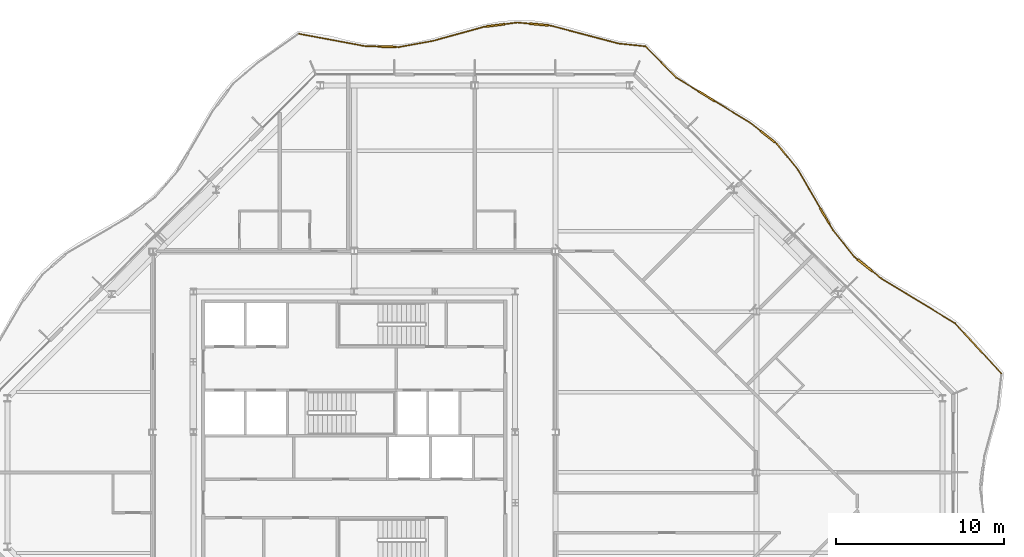
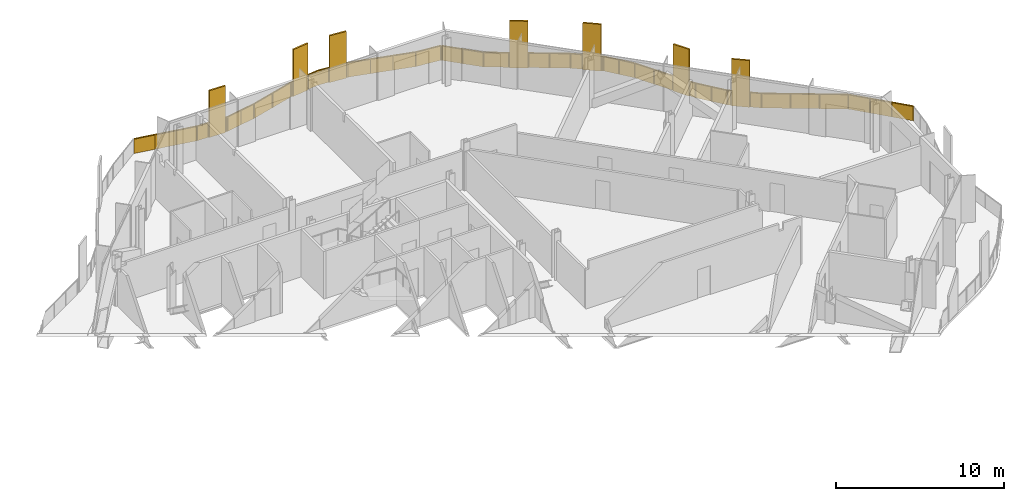
# One storey, part 17 of 17: 2 railings.
"""IFC4 building model written with IfcOpenShell, lengths in metres."""

from ifc_helpers import new_model, si_unit, direction, frame, origin, origin_2d, place, context, subcontext, project, spatial, polyline, rectangle, outline, extrude, material, type_object, element, save


model = new_model("IFC4")

# Units and contexts
model_context = context("Model", 3, precision=1e-05, world=origin(), true_north=direction((0.0, 1.0)))
body_context = subcontext(model_context, "Body", "Model", "MODEL_VIEW")
ifc_project = project(units=[si_unit("LENGTHUNIT", "METRE"), si_unit("AREAUNIT", "SQUARE_METRE"), si_unit("VOLUMEUNIT", "CUBIC_METRE"), si_unit("PLANEANGLEUNIT", "RADIAN"), si_unit("MASSUNIT", "GRAM", prefix="KILO")], contexts=[model_context])

# Site, building, storey
site_placement = place(None, origin())
site = spatial("IfcSite", under=ifc_project, at=site_placement, CompositionType="ELEMENT")
building_placement = place(site_placement, origin())
building = spatial("IfcBuilding", under=site, at=building_placement, Name="Cairn Pilgrim Tower", CompositionType="ELEMENT")
storey_placement = place(building_placement, frame((0.0, 0.0, 239.39990234375)))
storey = spatial("IfcBuildingStorey", under=building, at=storey_placement, Name="L61", CompositionType="ELEMENT", Elevation=239.39990234375)

# Railings
ifc_material = material(Name="Bronze anodised aluminium rail, posts and fin screens with laminated glass infill", Category="aluminium")
railing_type = type_object("IfcRailingType", Name="BALCONY GUARD WITH FIN SCREENS", PredefinedType="GUARDRAIL", material=ifc_material)
railing_1_placement = place(storey_placement, frame((45.813720703125, 5.896240234375, 0.0)))
element("IfcRailing", 1, at=railing_1_placement, inside=storey, type_object=railing_type, Name="Balcony guard BGF-4 with fin screens", PredefinedType="GUARDRAIL", context=body_context, shape_type="SweptSolid", body=[
    extrude(rectangle(XDim=0.050048828125, YDim=0.050048828125, at=origin_2d()), frame((0.0, 0.0, 1.0751953125), z_axis=(-0.676637569078, 0.736316236485, 0.0), x_axis=(-0.736316236485, -0.676637569078, 0.0)), (0.0, 0.0, 1.0), 4.07861328125),
    extrude(rectangle(XDim=0.050048828125, YDim=0.050048828125, at=origin_2d()), frame((-2.759765625, 3.003173828125, 1.0751953125), z_axis=(-0.854496020105, 0.519457940189, 0.0), x_axis=(-0.519457940189, -0.854496020105, 0.0)), (0.0, 0.0, 1.0), 5.164306640625),
    extrude(rectangle(XDim=1.10009765625, YDim=0.110107421875, at=origin_2d()), frame((-8.153564453125, 6.473388671875, 0.0), z_axis=(0.0, 0.0, 1.0), x_axis=(-0.77979860108, 0.626030463919, 0.0)), (0.0, 0.0, 1.0), 3.39990234375),
    extrude(rectangle(XDim=0.050048828125, YDim=0.050048828125, at=origin_2d()), frame((-7.172607421875, 5.685791015625, 1.0751953125), z_axis=(-0.77979860108, 0.626030463919, 0.0), x_axis=(-0.626030463919, -0.77979860108, 0.0)), (0.0, 0.0, 1.0), 0.7080078125),
    extrude(rectangle(XDim=0.050048828125, YDim=0.050048828125, at=origin_2d()), frame((-8.58251953125, 6.817626953125, 1.0751953125), z_axis=(-0.77979860108, 0.626030463919, 0.0), x_axis=(-0.626030463919, -0.77979860108, 0.0)), (0.0, 0.0, 1.0), 0.24169921875),
    extrude(rectangle(XDim=0.050048828125, YDim=0.050048828125, at=origin_2d()), frame((-8.77099609375, 6.968994140625, 1.0751953125), z_axis=(-0.624448287209, 0.781066153793, 0.0), x_axis=(-0.781066153793, -0.624448287209, 0.0)), (0.0, 0.0, 1.0), 2.051513671875),
    extrude(rectangle(XDim=1.10009765625, YDim=0.110107421875, at=origin_2d()), frame((-10.536376953125, 9.404541015625, 0.0), z_axis=(0.0, 0.0, 1.0), x_axis=(-0.502564364982, 0.864539796106, 0.0)), (0.0, 0.0, 1.0), 3.39990234375),
    extrude(rectangle(XDim=0.050048828125, YDim=0.050048828125, at=origin_2d()), frame((-10.052001953125, 8.5712890625, 1.0751953125), z_axis=(-0.502564364982, 0.864539796106, 0.0), x_axis=(-0.864539796106, -0.502564364982, 0.0)), (0.0, 0.0, 1.0), 0.413818359375),
    extrude(rectangle(XDim=0.050048828125, YDim=0.050048828125, at=origin_2d()), frame((-10.812744140625, 9.880126953125, 1.0751953125), z_axis=(-0.502564364982, 0.864539796106, 0.0), x_axis=(-0.864539796106, -0.502564364982, 0.0)), (0.0, 0.0, 1.0), 2.64697265625),
    extrude(rectangle(XDim=0.050048828125, YDim=0.050048828125, at=origin_2d()), frame((-12.14306640625, 12.16845703125, 1.0751953125), z_axis=(-0.629684156552, 0.776851248945, 0.0), x_axis=(-0.776851248945, -0.629684156552, 0.0)), (0.0, 0.0, 1.0), 1.994140625),
    extrude(rectangle(XDim=1.10009765625, YDim=0.110107421875, at=origin_2d()), frame((-13.947509765625, 14.152099609375, 0.0), z_axis=(0.0, 0.0, 1.0), x_axis=(-0.78390960615, 0.620874970816, 0.0)), (0.0, 0.0, 1.0), 3.39990234375),
    extrude(rectangle(XDim=0.050048828125, YDim=0.050048828125, at=origin_2d()), frame((-13.398681640625, 13.717529296875, 1.0751953125), z_axis=(-0.78390960615, 0.620874970816, 0.0), x_axis=(-0.620874970816, -0.78390960615, 0.0)), (0.0, 0.0, 1.0), 0.150146484375),
    extrude(rectangle(XDim=0.050048828125, YDim=0.050048828125, at=origin_2d()), frame((-14.378662109375, 14.49365234375, 1.0751953125), z_axis=(-0.78390960615, 0.620874970816, 0.0), x_axis=(-0.620874970816, -0.78390960615, 0.0)), (0.0, 0.0, 1.0), 0.7490234375),
    extrude(rectangle(XDim=1.10009765625, YDim=0.110107421875, at=origin_2d()), frame((-17.593994140625, 16.56103515625, 0.0), z_axis=(0.0, 0.0, 1.0), x_axis=(-0.853830896443, 0.520550478127, 0.0)), (0.0, 0.0, 1.0), 3.39990234375),
    extrude(rectangle(XDim=0.050048828125, YDim=0.050048828125, at=origin_2d()), frame((-14.9658203125, 14.958740234375, 1.0751953125), z_axis=(-0.853830896443, 0.520550478127, 0.0), x_axis=(-0.520550478127, -0.853830896443, 0.0)), (0.0, 0.0, 1.0), 2.528076171875),
    extrude(rectangle(XDim=0.050048828125, YDim=0.050048828125, at=origin_2d()), frame((-18.0634765625, 16.84716796875, 1.0751953125), z_axis=(-0.853830896443, 0.520550478127, 0.0), x_axis=(-0.520550478127, -0.853830896443, 0.0)), (0.0, 0.0, 1.0), 1.555419921875),
    extrude(rectangle(XDim=0.050048828125, YDim=0.050048828125, at=origin_2d()), frame((-19.3916015625, 17.656982421875, 1.0751953125), z_axis=(-0.701039988071, 0.71312196371, 0.0), x_axis=(-0.71312196371, -0.701039988071, 0.0)), (0.0, 0.0, 1.0), 2.56640625),
    extrude(rectangle(XDim=0.050048828125, YDim=0.050048828125, at=origin_2d()), origin(), (0.0, 0.0, 1.0), 1.050048828125),
    extrude(rectangle(XDim=0.050048828125, YDim=0.050048828125, at=origin_2d()), frame((-0.919921875, 1.0009765625, 0.0)), (0.0, 0.0, 1.0), 1.050048828125),
    extrude(rectangle(XDim=0.050048828125, YDim=0.050048828125, at=origin_2d()), frame((-1.83984375, 2.002197265625, 0.0)), (0.0, 0.0, 1.0), 1.050048828125),
    extrude(rectangle(XDim=0.050048828125, YDim=0.050048828125, at=origin_2d()), frame((-2.759765625, 3.003173828125, 0.0)), (0.0, 0.0, 1.0), 1.050048828125),
    extrude(rectangle(XDim=0.050048828125, YDim=0.050048828125, at=origin_2d()), frame((-4.230712890625, 3.8974609375, 0.0)), (0.0, 0.0, 1.0), 1.050048828125),
    extrude(rectangle(XDim=0.050048828125, YDim=0.050048828125, at=origin_2d()), frame((-5.70166015625, 4.79150390625, 0.0)), (0.0, 0.0, 1.0), 1.050048828125),
    extrude(rectangle(XDim=0.050048828125, YDim=0.050048828125, at=origin_2d()), frame((-7.172607421875, 5.685791015625, 0.0)), (0.0, 0.0, 1.0), 1.050048828125),
    extrude(rectangle(XDim=0.050048828125, YDim=0.050048828125, at=origin_2d()), frame((-7.705322265625, 6.113525390625, 0.0)), (0.0, 0.0, 1.0), 1.050048828125),
    extrude(rectangle(XDim=0.050048828125, YDim=0.050048828125, at=origin_2d()), frame((-8.60205078125, 6.83349609375, 0.0)), (0.0, 0.0, 1.0), 1.050048828125),
    extrude(rectangle(XDim=0.050048828125, YDim=0.050048828125, at=origin_2d()), frame((-8.77099609375, 6.968994140625, 0.0)), (0.0, 0.0, 1.0), 1.050048828125),
    extrude(rectangle(XDim=0.050048828125, YDim=0.050048828125, at=origin_2d()), frame((-9.41162109375, 7.77001953125, 0.0)), (0.0, 0.0, 1.0), 1.050048828125),
    extrude(rectangle(XDim=0.050048828125, YDim=0.050048828125, at=origin_2d()), frame((-10.052001953125, 8.5712890625, 0.0)), (0.0, 0.0, 1.0), 1.050048828125),
    extrude(rectangle(XDim=0.050048828125, YDim=0.050048828125, at=origin_2d()), frame((-10.24755859375, 8.907470703125, 0.0)), (0.0, 0.0, 1.0), 1.050048828125),
    extrude(rectangle(XDim=0.050048828125, YDim=0.050048828125, at=origin_2d()), frame((-10.825439453125, 9.90185546875, 0.0)), (0.0, 0.0, 1.0), 1.050048828125),
    extrude(rectangle(XDim=0.050048828125, YDim=0.050048828125, at=origin_2d()), frame((-11.484130859375, 11.03515625, 0.0)), (0.0, 0.0, 1.0), 1.050048828125),
    extrude(rectangle(XDim=0.050048828125, YDim=0.050048828125, at=origin_2d()), frame((-12.14306640625, 12.16845703125, 0.0)), (0.0, 0.0, 1.0), 1.050048828125),
    extrude(rectangle(XDim=0.050048828125, YDim=0.050048828125, at=origin_2d()), frame((-12.77099609375, 12.94287109375, 0.0)), (0.0, 0.0, 1.0), 1.050048828125),
    extrude(rectangle(XDim=0.050048828125, YDim=0.050048828125, at=origin_2d()), frame((-13.398681640625, 13.717529296875, 0.0)), (0.0, 0.0, 1.0), 1.050048828125),
    extrude(rectangle(XDim=0.050048828125, YDim=0.050048828125, at=origin_2d()), frame((-13.496826171875, 13.795166015625, 0.0)), (0.0, 0.0, 1.0), 1.050048828125),
    extrude(rectangle(XDim=0.050048828125, YDim=0.050048828125, at=origin_2d()), frame((-14.398193359375, 14.50927734375, 0.0)), (0.0, 0.0, 1.0), 1.050048828125),
    extrude(rectangle(XDim=0.050048828125, YDim=0.050048828125, at=origin_2d()), frame((-14.9658203125, 14.958740234375, 0.0)), (0.0, 0.0, 1.0), 1.050048828125),
    extrude(rectangle(XDim=0.050048828125, YDim=0.050048828125, at=origin_2d()), frame((-16.034423828125, 15.610107421875, 0.0)), (0.0, 0.0, 1.0), 1.050048828125),
    extrude(rectangle(XDim=0.050048828125, YDim=0.050048828125, at=origin_2d()), frame((-17.10302734375, 16.26171875, 0.0)), (0.0, 0.0, 1.0), 1.050048828125),
    extrude(rectangle(XDim=0.050048828125, YDim=0.050048828125, at=origin_2d()), frame((-18.0849609375, 16.8603515625, 0.0)), (0.0, 0.0, 1.0), 1.050048828125),
    extrude(rectangle(XDim=0.050048828125, YDim=0.050048828125, at=origin_2d()), frame((-19.3916015625, 17.656982421875, 0.0)), (0.0, 0.0, 1.0), 1.050048828125),
    extrude(rectangle(XDim=0.050048828125, YDim=0.050048828125, at=origin_2d()), frame((-20.291015625, 18.572021484375, 0.0)), (0.0, 0.0, 1.0), 1.050048828125),
    extrude(rectangle(XDim=0.050048828125, YDim=0.050048828125, at=origin_2d()), frame((-21.190673828125, 19.487060546875, 0.0)), (0.0, 0.0, 1.0), 1.050048828125),
    extrude(outline(polyline([(0.02490234375, 0.0), (1.33447265625, 0.0), (1.33447265625, 1.050048828125), (0.02490234375, 1.050048828125), (0.02490234375, 0.0)])), frame((-0.00439453125, -0.004150390625, 0.0), z_axis=(0.736316236485, 0.676637569078, 0.0), x_axis=(-0.676637569078, 0.736316236485, 0.0)), (0.0, 0.0, 1.0), 0.011962890625),
    extrude(outline(polyline([(0.02490234375, 0.0), (1.33447265625, 0.0), (1.33447265625, 1.050048828125), (0.02490234375, 1.050048828125), (0.02490234375, 0.0)])), frame((-0.92431640625, 0.9970703125, 0.0), z_axis=(0.736316236485, 0.676637569078, 0.0), x_axis=(-0.676637569078, 0.736316236485, 0.0)), (0.0, 0.0, 1.0), 0.011962890625),
    extrude(outline(polyline([(0.02490234375, 0.0), (1.33447265625, 0.0), (1.33447265625, 1.050048828125), (0.02490234375, 1.050048828125), (0.02490234375, 0.0)])), frame((-1.84423828125, 1.998046875, 0.0), z_axis=(0.736316236485, 0.676637569078, 0.0), x_axis=(-0.676637569078, 0.736316236485, 0.0)), (0.0, 0.0, 1.0), 0.011962890625),
    extrude(outline(polyline([(0.02490234375, 0.0), (1.6962890625, 0.0), (1.6962890625, 1.050048828125), (0.02490234375, 1.050048828125), (0.02490234375, 0.0)])), frame((-2.762939453125, 2.998046875, 0.0), z_axis=(0.519457940189, 0.854496020105, 0.0), x_axis=(-0.854496020105, 0.519457940189, 0.0)), (0.0, 0.0, 1.0), 0.011962890625),
    extrude(outline(polyline([(0.02490234375, 0.0), (1.6962890625, 0.0), (1.6962890625, 1.050048828125), (0.02490234375, 1.050048828125), (0.02490234375, 0.0)])), frame((-4.23388671875, 3.892333984375, 0.0), z_axis=(0.519457940189, 0.854496020105, 0.0), x_axis=(-0.854496020105, 0.519457940189, 0.0)), (0.0, 0.0, 1.0), 0.011962890625),
    extrude(outline(polyline([(0.02490234375, 0.0), (1.6962890625, 0.0), (1.6962890625, 1.050048828125), (0.02490234375, 1.050048828125), (0.02490234375, 0.0)])), frame((-5.704833984375, 4.786376953125, 0.0), z_axis=(0.519457940189, 0.854496020105, 0.0), x_axis=(-0.854496020105, 0.519457940189, 0.0)), (0.0, 0.0, 1.0), 0.011962890625),
    extrude(outline(polyline([(0.02490234375, 0.0), (0.657958984375, 0.0), (0.657958984375, 1.050048828125), (0.02490234375, 1.050048828125), (0.02490234375, 0.0)])), frame((-7.17626953125, 5.68115234375, 0.0), z_axis=(0.626030463919, 0.77979860108, 0.0), x_axis=(-0.77979860108, 0.626030463919, 0.0)), (0.0, 0.0, 1.0), 0.011962890625),
    extrude(outline(polyline([(0.02490234375, 0.0), (0.191650390625, 0.0), (0.191650390625, 1.050048828125), (0.02490234375, 1.050048828125), (0.02490234375, 0.0)])), frame((-8.605712890625, 6.82861328125, 0.0), z_axis=(0.626030463919, 0.77979860108, 0.0), x_axis=(-0.77979860108, 0.626030463919, 0.0)), (0.0, 0.0, 1.0), 0.011962890625),
    extrude(outline(polyline([(0.02490234375, 0.0), (1.000732421875, 0.0), (1.000732421875, 1.050048828125), (0.02490234375, 1.050048828125), (0.02490234375, 0.0)])), frame((-8.775634765625, 6.96533203125, 0.0), z_axis=(0.781066153793, 0.624448287209, 0.0), x_axis=(-0.624448287209, 0.781066153793, 0.0)), (0.0, 0.0, 1.0), 0.011962890625),
    extrude(outline(polyline([(0.02490234375, 0.0), (1.000732421875, 0.0), (1.000732421875, 1.050048828125), (0.02490234375, 1.050048828125), (0.02490234375, 0.0)])), frame((-9.416259765625, 7.766357421875, 0.0), z_axis=(0.781066153793, 0.624448287209, 0.0), x_axis=(-0.624448287209, 0.781066153793, 0.0)), (0.0, 0.0, 1.0), 0.011962890625),
    extrude(outline(polyline([(0.02490234375, 0.0), (0.36376953125, 0.0), (0.36376953125, 1.050048828125), (0.02490234375, 1.050048828125), (0.02490234375, 0.0)])), frame((-10.05712890625, 8.568359375, 0.0), z_axis=(0.864539796106, 0.502564364982, 0.0), x_axis=(-0.502564364982, 0.864539796106, 0.0)), (0.0, 0.0, 1.0), 0.011962890625),
    extrude(outline(polyline([(0.02490234375, 0.0), (1.285888671875, 0.0), (1.285888671875, 1.050048828125), (0.02490234375, 1.050048828125), (0.02490234375, 0.0)])), frame((-10.83056640625, 9.898681640625, 0.0), z_axis=(0.864539796106, 0.502564364982, 0.0), x_axis=(-0.502564364982, 0.864539796106, 0.0)), (0.0, 0.0, 1.0), 0.011962890625),
    extrude(outline(polyline([(0.02490234375, 0.0), (1.285888671875, 0.0), (1.285888671875, 1.050048828125), (0.02490234375, 1.050048828125), (0.02490234375, 0.0)])), frame((-11.489501953125, 11.0322265625, 0.0), z_axis=(0.864539796106, 0.502564364982, 0.0), x_axis=(-0.502564364982, 0.864539796106, 0.0)), (0.0, 0.0, 1.0), 0.011962890625),
    extrude(outline(polyline([(0.02490234375, 0.0), (0.971923828125, 0.0), (0.971923828125, 1.050048828125), (0.02490234375, 1.050048828125), (0.02490234375, 0.0)])), frame((-12.147705078125, 12.164794921875, 0.0), z_axis=(0.776851248945, 0.629684156552, 0.0), x_axis=(-0.629684156552, 0.776851248945, 0.0)), (0.0, 0.0, 1.0), 0.011962890625),
    extrude(outline(polyline([(0.02490234375, 0.0), (0.971923828125, 0.0), (0.971923828125, 1.050048828125), (0.02490234375, 1.050048828125), (0.02490234375, 0.0)])), frame((-12.775634765625, 12.939208984375, 0.0), z_axis=(0.776851248945, 0.629684156552, 0.0), x_axis=(-0.629684156552, 0.776851248945, 0.0)), (0.0, 0.0, 1.0), 0.011962890625),
    extrude(outline(polyline([(0.02490234375, 0.0), (0.10009765625, 0.0), (0.10009765625, 1.050048828125), (0.02490234375, 1.050048828125), (0.02490234375, 0.0)])), frame((-13.40234375, 13.712890625, 0.0), z_axis=(0.620874970816, 0.78390960615, 0.0), x_axis=(-0.78390960615, 0.620874970816, 0.0)), (0.0, 0.0, 1.0), 0.011962890625),
    extrude(outline(polyline([(0.02490234375, 0.0), (0.698974609375, 0.0), (0.698974609375, 1.050048828125), (0.02490234375, 1.050048828125), (0.02490234375, 0.0)])), frame((-14.40185546875, 14.504638671875, 0.0), z_axis=(0.620874970816, 0.78390960615, 0.0), x_axis=(-0.78390960615, 0.620874970816, 0.0)), (0.0, 0.0, 1.0), 0.011962890625),
    extrude(outline(polyline([(0.02490234375, 0.0), (1.2265625, 0.0), (1.2265625, 1.050048828125), (0.02490234375, 1.050048828125), (0.02490234375, 0.0)])), frame((-14.968994140625, 14.95361328125, 0.0), z_axis=(0.520550478127, 0.853830896443, 0.0), x_axis=(-0.853830896443, 0.520550478127, 0.0)), (0.0, 0.0, 1.0), 0.011962890625),
    extrude(outline(polyline([(0.02490234375, 0.0), (1.2265625, 0.0), (1.2265625, 1.050048828125), (0.02490234375, 1.050048828125), (0.02490234375, 0.0)])), frame((-16.03759765625, 15.60498046875, 0.0), z_axis=(0.520550478127, 0.853830896443, 0.0), x_axis=(-0.853830896443, 0.520550478127, 0.0)), (0.0, 0.0, 1.0), 0.011962890625),
    extrude(outline(polyline([(0.02490234375, 0.0), (1.50537109375, 0.0), (1.50537109375, 1.050048828125), (0.02490234375, 1.050048828125), (0.02490234375, 0.0)])), frame((-18.087890625, 16.855224609375, 0.0), z_axis=(0.520550478127, 0.853830896443, 0.0), x_axis=(-0.853830896443, 0.520550478127, 0.0)), (0.0, 0.0, 1.0), 0.011962890625),
    extrude(outline(polyline([(0.02490234375, 0.0), (1.258056640625, 0.0), (1.258056640625, 1.050048828125), (0.02490234375, 1.050048828125), (0.02490234375, 0.0)])), frame((-19.395751953125, 17.65283203125, 0.0), z_axis=(0.71312196371, 0.701039988071, 0.0), x_axis=(-0.701039988071, 0.71312196371, 0.0)), (0.0, 0.0, 1.0), 0.011962890625),
    extrude(outline(polyline([(0.02490234375, 0.0), (1.258056640625, 0.0), (1.258056640625, 1.050048828125), (0.02490234375, 1.050048828125), (0.02490234375, 0.0)])), frame((-20.29541015625, 18.56787109375, 0.0), z_axis=(0.71312196371, 0.701039988071, 0.0), x_axis=(-0.701039988071, 0.71312196371, 0.0)), (0.0, 0.0, 1.0), 0.011962890625),
])
railing_2_placement = place(storey_placement, frame((24.580810546875, 25.426025390625, 0.0)))
element("IfcRailing", 2, at=railing_2_placement, inside=storey, type_object=railing_type, Name="Balcony guard BGF-5 with fin screens", PredefinedType="GUARDRAIL", context=body_context, shape_type="SweptSolid", body=[
    extrude(rectangle(XDim=0.050048828125, YDim=0.050048828125, at=origin_2d()), frame((0.0, 0.0, 1.0751953125), z_axis=(-0.994502164256, 0.104716022123, 0.0), x_axis=(-0.104716022123, -0.994502164256, 0.0)), (0.0, 0.0, 1.0), 1.62744140625),
    extrude(rectangle(XDim=0.050048828125, YDim=0.050048828125, at=origin_2d()), frame((-1.618408203125, 0.17041015625, 1.0751953125), z_axis=(-0.966830474584, 0.255418937072, 0.0), x_axis=(-0.255418937072, -0.966830474584, 0.0)), (0.0, 0.0, 1.0), 4.179931640625),
    extrude(rectangle(XDim=1.10009765625, YDim=0.110107421875, at=origin_2d()), frame((-6.356689453125, 1.302001953125, 0.0), z_axis=(0.0, 0.0, 1.0), x_axis=(-0.99580166609, 0.09153710621, 0.0)), (0.0, 0.0, 1.0), 3.39990234375),
    extrude(rectangle(XDim=0.050048828125, YDim=0.050048828125, at=origin_2d()), frame((-5.65966796875, 1.238037109375, 1.0751953125), z_axis=(-0.99580166609, 0.09153710621, 0.0), x_axis=(-0.09153710621, -0.99580166609, 0.0)), (0.0, 0.0, 1.0), 0.150146484375),
    extrude(rectangle(XDim=0.050048828125, YDim=0.050048828125, at=origin_2d()), frame((-6.904541015625, 1.3525390625, 1.0751953125), z_axis=(-0.99580166609, 0.09153710621, 0.0), x_axis=(-0.09153710621, -0.99580166609, 0.0)), (0.0, 0.0, 1.0), 0.750244140625),
    extrude(rectangle(XDim=1.10009765625, YDim=0.110107421875, at=origin_2d()), frame((-8.95166015625, 1.253173828125, 0.0), z_axis=(0.0, 0.0, 1.0), x_axis=(-0.991761453688, -0.128098473756, 0.0)), (0.0, 0.0, 1.0), 3.39990234375),
    extrude(rectangle(XDim=0.050048828125, YDim=0.050048828125, at=origin_2d()), frame((-7.651611328125, 1.421142578125, 1.0751953125), z_axis=(-0.991761453688, -0.128098473756, 0.0), x_axis=(0.128098473756, -0.991761453688, 0.0)), (0.0, 0.0, 1.0), 0.760986328125),
    extrude(rectangle(XDim=0.050048828125, YDim=0.050048828125, at=origin_2d()), frame((-9.4970703125, 1.182861328125, 1.0751953125), z_axis=(-0.991761453688, -0.128098473756, 0.0), x_axis=(0.128098473756, -0.991761453688, 0.0)), (0.0, 0.0, 1.0), 0.14990234375),
    extrude(rectangle(XDim=0.050048828125, YDim=0.050048828125, at=origin_2d()), frame((-9.645751953125, 1.16357421875, 1.0751953125), z_axis=(-0.964017350466, -0.265839327414, 0.0), x_axis=(0.265839327414, -0.964017350466, 0.0)), (0.0, 0.0, 1.0), 3.140869140625),
    extrude(rectangle(XDim=0.050048828125, YDim=0.050048828125, at=origin_2d()), frame((-12.673583984375, 0.32861328125, 1.0751953125), z_axis=(-0.983737992736, -0.179609469817, 0.0), x_axis=(0.179609469817, -0.983737992736, 0.0)), (0.0, 0.0, 1.0), 2.076904296875),
    extrude(rectangle(XDim=1.10009765625, YDim=0.110107421875, at=origin_2d()), frame((-15.416748046875, -0.023681640625, 0.0), z_axis=(0.0, 0.0, 1.0), x_axis=(-0.999559998105, 0.029661594509, 0.0)), (0.0, 0.0, 1.0), 3.39990234375),
    extrude(rectangle(XDim=0.050048828125, YDim=0.050048828125, at=origin_2d()), frame((-14.716796875, -0.04443359375, 1.0751953125), z_axis=(-0.999559998105, 0.029661594509, 0.0), x_axis=(-0.029661594509, -0.999559998105, 0.0)), (0.0, 0.0, 1.0), 0.150146484375),
    extrude(rectangle(XDim=0.050048828125, YDim=0.050048828125, at=origin_2d()), frame((-15.96630859375, -0.00732421875, 1.0751953125), z_axis=(-0.999559998105, 0.029661594509, 0.0), x_axis=(-0.029661594509, -0.999559998105, 0.0)), (0.0, 0.0, 1.0), 0.79931640625),
    extrude(rectangle(XDim=0.050048828125, YDim=0.050048828125, at=origin_2d()), frame((-16.765380859375, 0.016357421875, 1.0751953125), z_axis=(-0.982972594767, 0.183752218864, 0.0), x_axis=(-0.183752218864, -0.982972594767, 0.0)), (0.0, 0.0, 1.0), 3.9580078125),
    extrude(rectangle(XDim=0.050048828125, YDim=0.050048828125, at=origin_2d()), origin(), (0.0, 0.0, 1.0), 1.050048828125),
    extrude(rectangle(XDim=0.050048828125, YDim=0.050048828125, at=origin_2d()), frame((-1.618408203125, 0.17041015625, 0.0)), (0.0, 0.0, 1.0), 1.050048828125),
    extrude(rectangle(XDim=0.050048828125, YDim=0.050048828125, at=origin_2d()), frame((-2.965576171875, 0.5263671875, 0.0)), (0.0, 0.0, 1.0), 1.050048828125),
    extrude(rectangle(XDim=0.050048828125, YDim=0.050048828125, at=origin_2d()), frame((-4.3125, 0.882080078125, 0.0)), (0.0, 0.0, 1.0), 1.050048828125),
    extrude(rectangle(XDim=0.050048828125, YDim=0.050048828125, at=origin_2d()), frame((-5.65966796875, 1.238037109375, 0.0)), (0.0, 0.0, 1.0), 1.050048828125),
    extrude(rectangle(XDim=0.050048828125, YDim=0.050048828125, at=origin_2d()), frame((-5.7841796875, 1.24951171875, 0.0)), (0.0, 0.0, 1.0), 1.050048828125),
    extrude(rectangle(XDim=0.050048828125, YDim=0.050048828125, at=origin_2d()), frame((-6.929443359375, 1.354736328125, 0.0)), (0.0, 0.0, 1.0), 1.050048828125),
    extrude(rectangle(XDim=0.050048828125, YDim=0.050048828125, at=origin_2d()), frame((-7.651611328125, 1.421142578125, 0.0)), (0.0, 0.0, 1.0), 1.050048828125),
    extrude(rectangle(XDim=0.050048828125, YDim=0.050048828125, at=origin_2d()), frame((-8.38134765625, 1.326904296875, 0.0)), (0.0, 0.0, 1.0), 1.050048828125),
    extrude(rectangle(XDim=0.050048828125, YDim=0.050048828125, at=origin_2d()), frame((-9.52197265625, 1.179443359375, 0.0)), (0.0, 0.0, 1.0), 1.050048828125),
    extrude(rectangle(XDim=0.050048828125, YDim=0.050048828125, at=origin_2d()), frame((-9.645751953125, 1.16357421875, 0.0)), (0.0, 0.0, 1.0), 1.050048828125),
    extrude(rectangle(XDim=0.050048828125, YDim=0.050048828125, at=origin_2d()), frame((-11.15966796875, 0.74609375, 0.0)), (0.0, 0.0, 1.0), 1.050048828125),
    extrude(rectangle(XDim=0.050048828125, YDim=0.050048828125, at=origin_2d()), frame((-12.673583984375, 0.32861328125, 0.0)), (0.0, 0.0, 1.0), 1.050048828125),
    extrude(rectangle(XDim=0.050048828125, YDim=0.050048828125, at=origin_2d()), frame((-13.6953125, 0.14208984375, 0.0)), (0.0, 0.0, 1.0), 1.050048828125),
    extrude(rectangle(XDim=0.050048828125, YDim=0.050048828125, at=origin_2d()), frame((-14.716796875, -0.04443359375, 0.0)), (0.0, 0.0, 1.0), 1.050048828125),
    extrude(rectangle(XDim=0.050048828125, YDim=0.050048828125, at=origin_2d()), frame((-14.841796875, -0.040771484375, 0.0)), (0.0, 0.0, 1.0), 1.050048828125),
    extrude(rectangle(XDim=0.050048828125, YDim=0.050048828125, at=origin_2d()), frame((-15.991455078125, -0.006591796875, 0.0)), (0.0, 0.0, 1.0), 1.050048828125),
    extrude(rectangle(XDim=0.050048828125, YDim=0.050048828125, at=origin_2d()), frame((-16.765380859375, 0.016357421875, 0.0)), (0.0, 0.0, 1.0), 1.050048828125),
    extrude(rectangle(XDim=0.050048828125, YDim=0.050048828125, at=origin_2d()), frame((-18.062255859375, 0.2587890625, 0.0)), (0.0, 0.0, 1.0), 1.050048828125),
    extrude(rectangle(XDim=0.050048828125, YDim=0.050048828125, at=origin_2d()), frame((-19.359130859375, 0.501220703125, 0.0)), (0.0, 0.0, 1.0), 1.050048828125),
    extrude(rectangle(XDim=0.050048828125, YDim=0.050048828125, at=origin_2d()), frame((-20.656005859375, 0.74365234375, 0.0)), (0.0, 0.0, 1.0), 1.050048828125),
    extrude(outline(polyline([(0.02490234375, 0.0), (1.602294921875, 0.0), (1.602294921875, 1.050048828125), (0.02490234375, 1.050048828125), (0.02490234375, 0.0)])), frame((-0.000732421875, -0.005859375, 0.0), z_axis=(0.104716022123, 0.994502164256, 0.0), x_axis=(-0.994502164256, 0.104716022123, 0.0)), (0.0, 0.0, 1.0), 0.011962890625),
    extrude(outline(polyline([(0.02490234375, 0.0), (1.3681640625, 0.0), (1.3681640625, 1.050048828125), (0.02490234375, 1.050048828125), (0.02490234375, 0.0)])), frame((-1.619873046875, 0.16455078125, 0.0), z_axis=(0.255418937072, 0.966830474584, 0.0), x_axis=(-0.966830474584, 0.255418937072, 0.0)), (0.0, 0.0, 1.0), 0.011962890625),
    extrude(outline(polyline([(0.02490234375, 0.0), (1.3681640625, 0.0), (1.3681640625, 1.050048828125), (0.02490234375, 1.050048828125), (0.02490234375, 0.0)])), frame((-2.967041015625, 0.5205078125, 0.0), z_axis=(0.255418937072, 0.966830474584, 0.0), x_axis=(-0.966830474584, 0.255418937072, 0.0)), (0.0, 0.0, 1.0), 0.011962890625),
    extrude(outline(polyline([(0.02490234375, 0.0), (1.3681640625, 0.0), (1.3681640625, 1.050048828125), (0.02490234375, 1.050048828125), (0.02490234375, 0.0)])), frame((-4.314208984375, 0.87646484375, 0.0), z_axis=(0.255418937072, 0.966830474584, 0.0), x_axis=(-0.966830474584, 0.255418937072, 0.0)), (0.0, 0.0, 1.0), 0.011962890625),
    extrude(outline(polyline([(0.02490234375, 0.0), (0.10009765625, 0.0), (0.10009765625, 1.050048828125), (0.02490234375, 1.050048828125), (0.02490234375, 0.0)])), frame((-5.66015625, 1.232177734375, 0.0), z_axis=(0.09153710621, 0.99580166609, 0.0), x_axis=(-0.99580166609, 0.09153710621, 0.0)), (0.0, 0.0, 1.0), 0.011962890625),
    extrude(outline(polyline([(0.02490234375, 0.0), (0.7001953125, 0.0), (0.7001953125, 1.050048828125), (0.02490234375, 1.050048828125), (0.02490234375, 0.0)])), frame((-6.929931640625, 1.348876953125, 0.0), z_axis=(0.09153710621, 0.99580166609, 0.0), x_axis=(-0.99580166609, 0.09153710621, 0.0)), (0.0, 0.0, 1.0), 0.011962890625),
    extrude(outline(polyline([(0.02490234375, 0.0), (0.7109375, 0.0), (0.7109375, 1.050048828125), (0.02490234375, 1.050048828125), (0.02490234375, 0.0)])), frame((-7.65087890625, 1.415283203125, 0.0), z_axis=(-0.128098473756, 0.991761453688, 0.0), x_axis=(-0.991761453688, -0.128098473756, 0.0)), (0.0, 0.0, 1.0), 0.011962890625),
    extrude(outline(polyline([(0.02490234375, 0.0), (0.099853515625, 0.0), (0.099853515625, 1.050048828125), (0.02490234375, 1.050048828125), (0.02490234375, 0.0)])), frame((-9.521240234375, 1.173583984375, 0.0), z_axis=(-0.128098473756, 0.991761453688, 0.0), x_axis=(-0.991761453688, -0.128098473756, 0.0)), (0.0, 0.0, 1.0), 0.011962890625),
    extrude(outline(polyline([(0.02490234375, 0.0), (1.54541015625, 0.0), (1.54541015625, 1.050048828125), (0.02490234375, 1.050048828125), (0.02490234375, 0.0)])), frame((-9.64404296875, 1.15771484375, 0.0), z_axis=(-0.265839327414, 0.964017350466, 0.0), x_axis=(-0.964017350466, -0.265839327414, 0.0)), (0.0, 0.0, 1.0), 0.011962890625),
    extrude(outline(polyline([(0.02490234375, 0.0), (1.54541015625, 0.0), (1.54541015625, 1.050048828125), (0.02490234375, 1.050048828125), (0.02490234375, 0.0)])), frame((-11.157958984375, 0.740234375, 0.0), z_axis=(-0.265839327414, 0.964017350466, 0.0), x_axis=(-0.964017350466, -0.265839327414, 0.0)), (0.0, 0.0, 1.0), 0.011962890625),
    extrude(outline(polyline([(0.02490234375, 0.0), (1.013427734375, 0.0), (1.013427734375, 1.050048828125), (0.02490234375, 1.050048828125), (0.02490234375, 0.0)])), frame((-12.672607421875, 0.32275390625, 0.0), z_axis=(-0.179609469817, 0.983737992736, 0.0), x_axis=(-0.983737992736, -0.179609469817, 0.0)), (0.0, 0.0, 1.0), 0.011962890625),
    extrude(outline(polyline([(0.02490234375, 0.0), (1.013427734375, 0.0), (1.013427734375, 1.050048828125), (0.02490234375, 1.050048828125), (0.02490234375, 0.0)])), frame((-13.694091796875, 0.13623046875, 0.0), z_axis=(-0.179609469817, 0.983737992736, 0.0), x_axis=(-0.983737992736, -0.179609469817, 0.0)), (0.0, 0.0, 1.0), 0.011962890625),
    extrude(outline(polyline([(0.02490234375, 0.0), (0.10009765625, 0.0), (0.10009765625, 1.050048828125), (0.02490234375, 1.050048828125), (0.02490234375, 0.0)])), frame((-14.717041015625, -0.05029296875, 0.0), z_axis=(0.029661594509, 0.999559998105, 0.0), x_axis=(-0.999559998105, 0.029661594509, 0.0)), (0.0, 0.0, 1.0), 0.011962890625),
    extrude(outline(polyline([(0.02490234375, 0.0), (0.749267578125, 0.0), (0.749267578125, 1.050048828125), (0.02490234375, 1.050048828125), (0.02490234375, 0.0)])), frame((-15.99169921875, -0.0126953125, 0.0), z_axis=(0.029661594509, 0.999559998105, 0.0), x_axis=(-0.999559998105, 0.029661594509, 0.0)), (0.0, 0.0, 1.0), 0.011962890625),
    extrude(outline(polyline([(0.02490234375, 0.0), (1.29443359375, 0.0), (1.29443359375, 1.050048828125), (0.02490234375, 1.050048828125), (0.02490234375, 0.0)])), frame((-16.7666015625, 0.010498046875, 0.0), z_axis=(0.183752218864, 0.982972594767, 0.0), x_axis=(-0.982972594767, 0.183752218864, 0.0)), (0.0, 0.0, 1.0), 0.011962890625),
    extrude(outline(polyline([(0.02490234375, 0.0), (1.29443359375, 0.0), (1.29443359375, 1.050048828125), (0.02490234375, 1.050048828125), (0.02490234375, 0.0)])), frame((-18.0634765625, 0.2529296875, 0.0), z_axis=(0.183752218864, 0.982972594767, 0.0), x_axis=(-0.982972594767, 0.183752218864, 0.0)), (0.0, 0.0, 1.0), 0.011962890625),
    extrude(outline(polyline([(0.02490234375, 0.0), (1.29443359375, 0.0), (1.29443359375, 1.050048828125), (0.02490234375, 1.050048828125), (0.02490234375, 0.0)])), frame((-19.3603515625, 0.495361328125, 0.0), z_axis=(0.183752218864, 0.982972594767, 0.0), x_axis=(-0.982972594767, 0.183752218864, 0.0)), (0.0, 0.0, 1.0), 0.011962890625),
])

save(model, "model.ifc")
